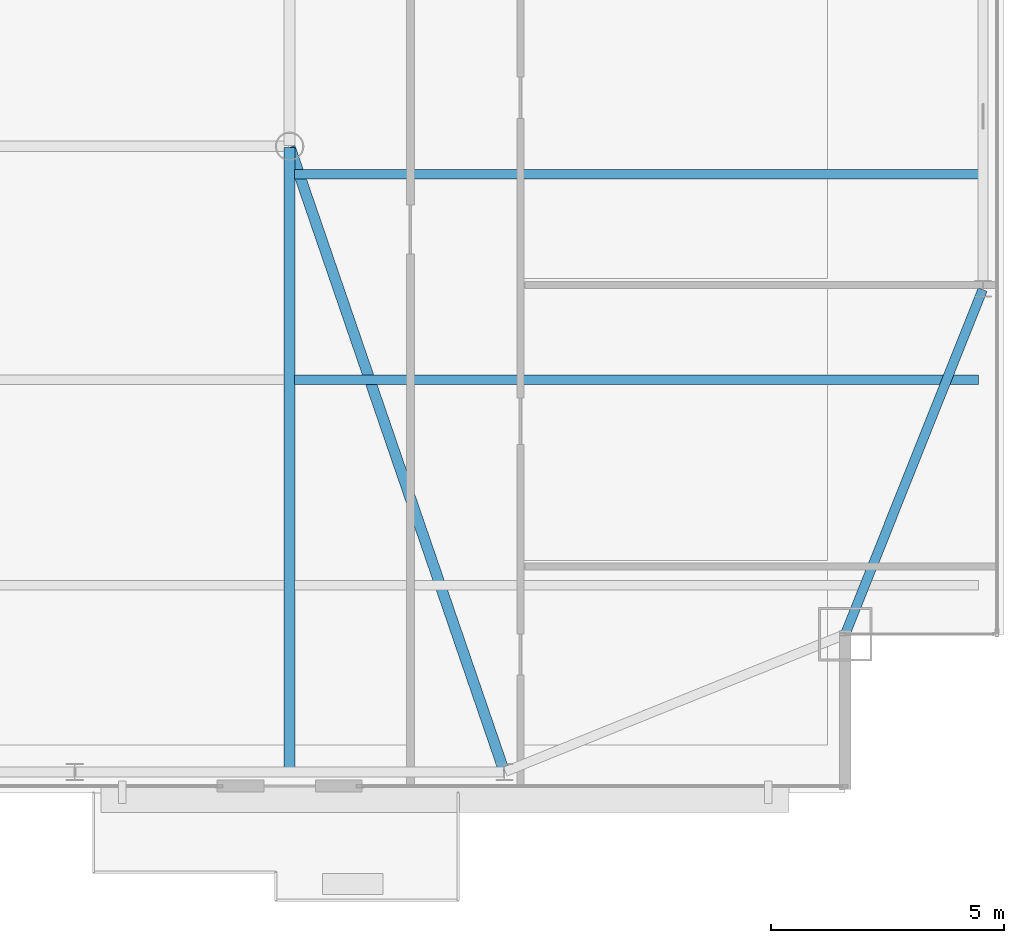
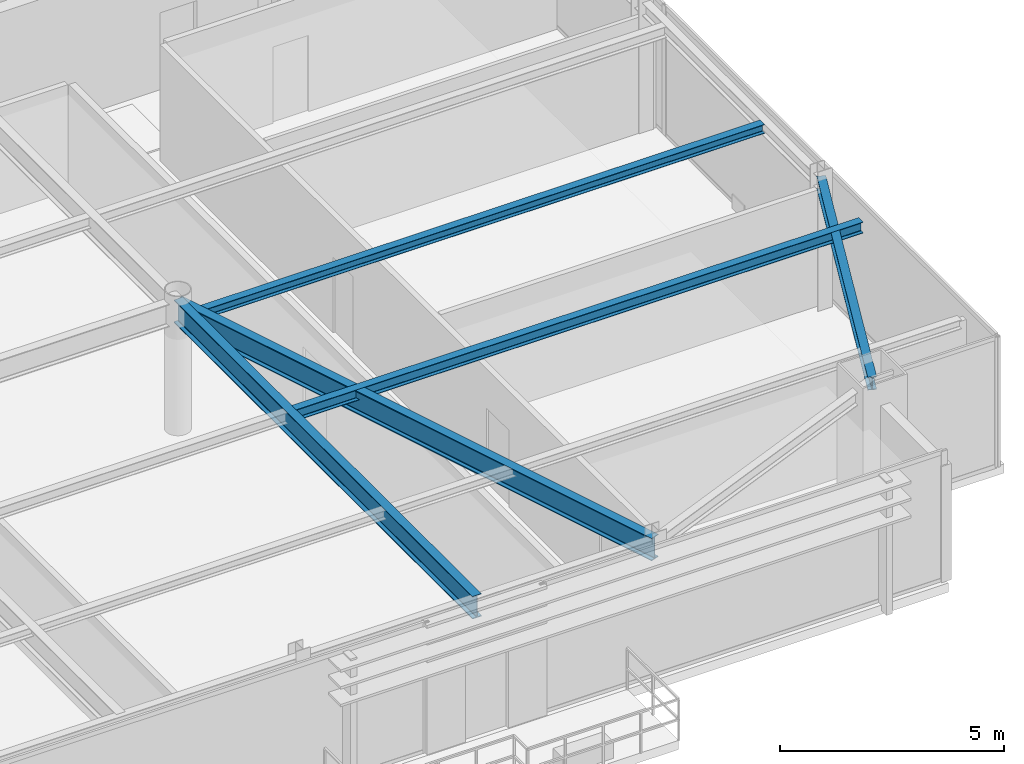
# One storey, part 16 of 30: 5 beams.
"""IFC4 building model written with IfcOpenShell, lengths in metres."""

from ifc_helpers import new_model, si_unit, direction, frame, origin, origin_2d, place, context, subcontext, project, spatial, i_section, extrude, source, transform, mapped, material, material_profile, profile_set, type_object, type_shapes, element, save


model = new_model("IFC4")

# Units and contexts
model_context = context("Model", 3, precision=1e-05, world=origin(), true_north=direction((0.0, 1.0)))
body_context = subcontext(model_context, "Body", "Model", "MODEL_VIEW")
ifc_project = project(units=[si_unit("LENGTHUNIT", "METRE"), si_unit("AREAUNIT", "SQUARE_METRE"), si_unit("VOLUMEUNIT", "CUBIC_METRE"), si_unit("PLANEANGLEUNIT", "RADIAN"), si_unit("MASSUNIT", "GRAM", prefix="KILO")], contexts=[model_context])

# Site, building, storey
site_placement = place(None, origin())
site = spatial("IfcSite", under=ifc_project, at=site_placement, CompositionType="ELEMENT")
building_placement = place(site_placement, origin())
building = spatial("IfcBuilding", under=site, at=building_placement, Name="Varnel Quay Broadcast Tower", CompositionType="ELEMENT")
storey_placement = place(building_placement, frame((0.0, 0.0, 207.39990234375)))
storey = spatial("IfcBuildingStorey", under=building, at=storey_placement, Name="L51", CompositionType="ELEMENT", Elevation=207.39990234375)

# Beams
ifc_material = material(Name="Structural Steel CSA G40.21 350W", Category="steel")
ifc_material_profile_1 = material_profile(ifc_material, i_section(OverallWidth=0.205078125, OverallDepth=0.35400390625, WebThickness=0.009521484375, FlangeThickness=0.016845703125, FilletRadius=0.012939453125, at=origin_2d()), Name="W360X79")
ifc_profile_set_1 = profile_set([ifc_material_profile_1], Name="Structural Steel CSA G40.21 350W")
beam_type_1 = type_object("IfcBeamType", Name="Beam_W360X79", PredefinedType="SPANDREL", material=ifc_profile_set_1)
shared_shape_1 = source(origin(), body_context, "Body", "SweptSolid", [
    extrude(i_section(OverallWidth=0.205078125, OverallDepth=0.35400390625, WebThickness=0.009521484375, FlangeThickness=0.016845703125, FilletRadius=0.012939453125, at=origin_2d()), origin(), (0.0, 0.0, 1.0), 7.92626953125),
])
type_shapes(beam_type_1, [shared_shape_1])
beam_1_placement = place(storey_placement, frame((55.107421875, 13.61865234375, 3.373046875), z_axis=(0.370296431883, 0.928913641053, 0.0), x_axis=(-0.928913641053, 0.370296431883, 0.0)))
element("IfcBeam", 1, at=beam_1_placement, inside=storey, type_object=beam_type_1, Name="L51 East Spandrel MC-SE-TC-E1", PredefinedType="SPANDREL", context=body_context, shape_type="MappedRepresentation", body=[
    mapped(shared_shape_1, transform((0.0, 0.0, 0.0), x_axis=(1.0, 0.0, 0.0), y_axis=(0.0, 1.0, 0.0), z_axis=(0.0, 0.0, 1.0), scale=1.0)),
])
ifc_material_profile_2 = material_profile(ifc_material, i_section(OverallWidth=0.22998046875, OverallDepth=0.616943359375, WebThickness=0.01318359375, FlangeThickness=0.022216796875, FilletRadius=0.01611328125, at=origin_2d()), Name="W610X140")
ifc_profile_set_2 = profile_set([ifc_material_profile_2], Name="Structural Steel CSA G40.21 350W")
beam_type_2 = type_object("IfcBeamType", Name="Girder_W610X140", PredefinedType="BEAM", material=ifc_profile_set_2)
shared_shape_2 = source(origin(), body_context, "Body", "SweptSolid", [
    extrude(i_section(OverallWidth=0.22998046875, OverallDepth=0.616943359375, WebThickness=0.01318359375, FlangeThickness=0.022216796875, FilletRadius=0.01611328125, at=origin_2d()), origin(), (0.0, 0.0, 1.0), 14.12744140625),
])
beam_2_placement = place(storey_placement, frame((47.79345703125, 10.6689453125, 3.24169921875), z_axis=(-0.324681288447, 0.945823482967, 0.0), x_axis=(-0.945823482967, -0.324681288447, 0.0)))
element("IfcBeam", 2, at=beam_2_placement, inside=storey, type_object=beam_type_2, Name="L51 Primary Girder TC-S4-IC-02", PredefinedType="BEAM", context=body_context, shape_type="MappedRepresentation", body=[
    mapped(shared_shape_2, transform((0.0, 0.0, 0.0), x_axis=(1.0, 0.0, 0.0), y_axis=(0.0, 1.0, 0.0), z_axis=(0.0, 0.0, 1.0), scale=1.0)),
])
shared_shape_3 = source(origin(), body_context, "Body", "SweptSolid", [
    extrude(i_section(OverallWidth=0.22998046875, OverallDepth=0.616943359375, WebThickness=0.01318359375, FlangeThickness=0.022216796875, FilletRadius=0.01611328125, at=origin_2d()), origin(), (0.0, 0.0, 1.0), 13.360107421875),
])
type_shapes(beam_type_2, [shared_shape_2, shared_shape_3])
beam_3_placement = place(storey_placement, frame((43.199951171875, 10.669921875, 3.24169921875), z_axis=(0.0, 1.0, 0.0), x_axis=(-1.0, 0.0, 0.0)))
element("IfcBeam", 3, at=beam_3_placement, inside=storey, type_object=beam_type_2, Name="L51 N-S Joist Header IC-02S", PredefinedType="BEAM", context=body_context, shape_type="MappedRepresentation", body=[
    mapped(shared_shape_3, transform((0.0, 0.0, 0.0), x_axis=(1.0, 0.0, 0.0), y_axis=(0.0, 1.0, 0.0), z_axis=(0.0, 0.0, 1.0), scale=1.0)),
])
ifc_material_profile_3 = material_profile(ifc_material, i_section(OverallWidth=0.201904296875, OverallDepth=0.2470703125, WebThickness=0.00732421875, FlangeThickness=0.010986328125, FilletRadius=0.010986328125, at=origin_2d()), Name="W250X49")
ifc_profile_set_3 = profile_set([ifc_material_profile_3], Name="Structural Steel CSA G40.21 350W")
beam_type_3 = type_object("IfcBeamType", Name="Beam_W250X49", PredefinedType="JOIST", material=ifc_profile_set_3)
shared_shape_4 = source(origin(), body_context, "Body", "SweptSolid", [
    extrude(i_section(OverallWidth=0.201904296875, OverallDepth=0.2470703125, WebThickness=0.00732421875, FlangeThickness=0.010986328125, FilletRadius=0.010986328125, at=origin_2d()), origin(), (0.0, 0.0, 1.0), 14.642333984375),
])
type_shapes(beam_type_3, [shared_shape_4])
beam_4_placement = place(storey_placement, frame((43.31005859375, 23.449951171875, 3.426513671875), z_axis=(1.0, 0.0, 0.0), x_axis=(0.0, 1.0, 0.0)))
element("IfcBeam", 4, at=beam_4_placement, inside=storey, type_object=beam_type_3, Name="L51 East Floor Joist 3", PredefinedType="JOIST", context=body_context, shape_type="MappedRepresentation", body=[
    mapped(shared_shape_4, transform((0.0, 0.0, 0.0), x_axis=(1.0, 0.0, 0.0), y_axis=(0.0, 1.0, 0.0), z_axis=(0.0, 0.0, 1.0), scale=1.0)),
])
ifc_material_profile_4 = material_profile(ifc_material, i_section(OverallWidth=0.202880859375, OverallDepth=0.302978515625, WebThickness=0.007568359375, FlangeThickness=0.01318359375, FilletRadius=0.011962890625, at=origin_2d()), Name="W310X60")
ifc_profile_set_4 = profile_set([ifc_material_profile_4], Name="Structural Steel CSA G40.21 350W")
beam_type_4 = type_object("IfcBeamType", Name="Beam_W310X60", PredefinedType="JOIST", material=ifc_profile_set_4)
shared_shape_5 = source(origin(), body_context, "Body", "SweptSolid", [
    extrude(i_section(OverallWidth=0.202880859375, OverallDepth=0.302978515625, WebThickness=0.007568359375, FlangeThickness=0.01318359375, FilletRadius=0.011962890625, at=origin_2d()), origin(), (0.0, 0.0, 1.0), 14.642333984375),
])
type_shapes(beam_type_4, [shared_shape_5])
beam_5_placement = place(storey_placement, frame((43.31005859375, 19.050048828125, 3.398681640625), z_axis=(1.0, 0.0, 0.0), x_axis=(0.0, 1.0, 0.0)))
element("IfcBeam", 5, at=beam_5_placement, inside=storey, type_object=beam_type_4, Name="L51 East Floor Joist 2", PredefinedType="JOIST", context=body_context, shape_type="MappedRepresentation", body=[
    mapped(shared_shape_5, transform((0.0, 0.0, 0.0), x_axis=(1.0, 0.0, 0.0), y_axis=(0.0, 1.0, 0.0), z_axis=(0.0, 0.0, 1.0), scale=1.0)),
])

save(model, "model.ifc")
